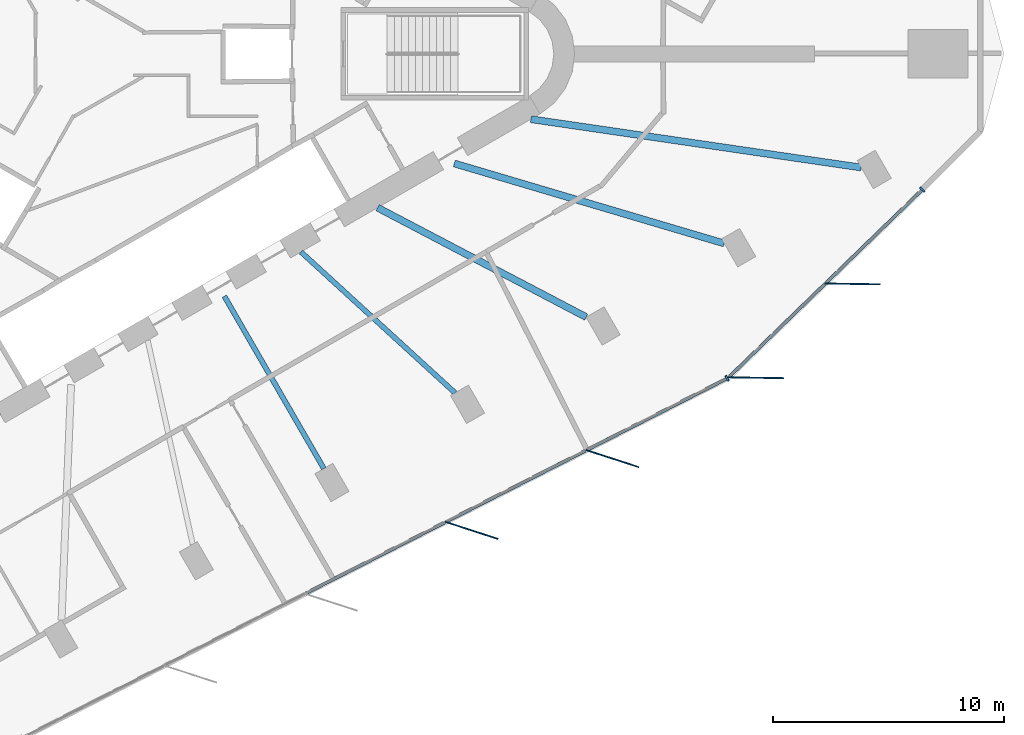
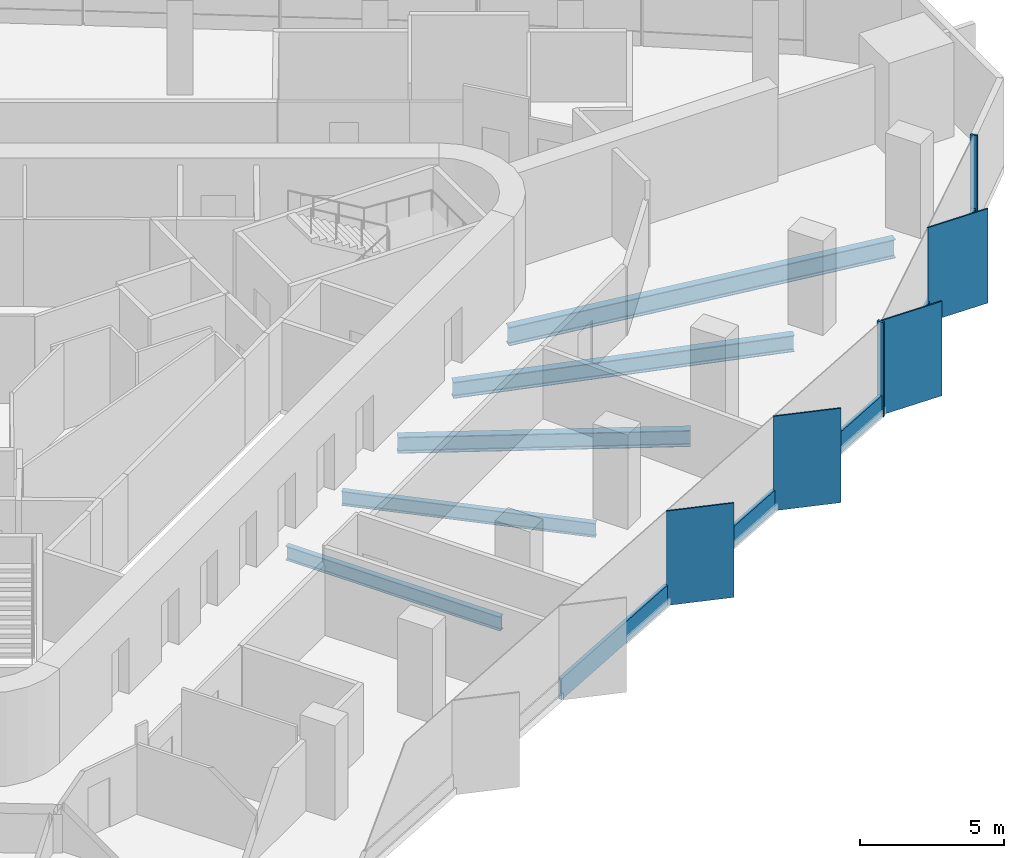
# One storey, part 3 of 14: 11 members, 5 beams, 2 elements without a shape of their own.
"""IFC4 building model written with IfcOpenShell, lengths in metres."""

from ifc_helpers import new_model, si_unit, direction, frame, origin, origin_2d, place, context, subcontext, project, spatial, rectangle, i_section, extrude, material, material_profile, profile_set, type_object, element, aggregate, save


model = new_model("IFC4")

# Units and contexts
model_context = context("Model", 3, precision=1e-05, world=origin(), true_north=direction((0.0, 1.0)))
body_context = subcontext(model_context, "Body", "Model", "MODEL_VIEW")
ifc_project = project(units=[si_unit("LENGTHUNIT", "METRE"), si_unit("AREAUNIT", "SQUARE_METRE"), si_unit("VOLUMEUNIT", "CUBIC_METRE"), si_unit("PLANEANGLEUNIT", "RADIAN"), si_unit("MASSUNIT", "GRAM", prefix="KILO")], contexts=[model_context])

# Site, building, storey
site_placement = place(None, origin())
site = spatial("IfcSite", under=ifc_project, at=site_placement, CompositionType="ELEMENT")
building_placement = place(site_placement, origin())
building = spatial("IfcBuilding", under=site, at=building_placement, Name="Tanit Gate Tower", CompositionType="ELEMENT")
storey_placement = place(building_placement, frame((0.0, 0.0, 257.199951171875)))
storey = spatial("IfcBuildingStorey", under=building, at=storey_placement, Name="L58", CompositionType="ELEMENT", Elevation=257.199951171875)

# Curtain wall, members
ifc_material_1 = material(Name="Aluminium bronze anodised and glass", Category="aluminium")
curtain_wall_type = type_object("IfcCurtainWallType", Name="Curtain wall typical mid", PredefinedType="NOTDEFINED", material=ifc_material_1)
curtain_wall_1_placement = place(storey_placement, origin())
curtain_wall_1 = element("IfcCurtainWall", 1, at=curtain_wall_1_placement, inside=storey, type_object=curtain_wall_type, Name="Curtain wall L58 SE2", PredefinedType="NOTDEFINED")
ifc_material_2 = material(Name="Aluminium bronze anodised", Category="aluminium")
ifc_material_profile_1 = material_profile(ifc_material_2, rectangle(XDim=2.39990234375, YDim=0.055908203125, at=origin_2d()), Name="56x2400 bronze fin mullion")
ifc_profile_set_1 = profile_set([ifc_material_profile_1], Name="Aluminium bronze anodised")
member_type_1 = type_object("IfcMemberType", Name="FIN MULLION 56x2400 bronze", PredefinedType="MULLION", material=ifc_profile_set_1)
member_1_placement = place(storey_placement, frame((16.746337890625, -20.606689453125, -0.300048828125), z_axis=(0.0, 0.0, 1.0), x_axis=(-0.951202192353, 0.308568289465, 0.0)))
member_1 = element("IfcMember", 2, at=member_1_placement, type_object=member_type_1, Name="Fin mullion L58 SE2.4", PredefinedType="MULLION", context=body_context, shape_type="SweptSolid", body=[
    extrude(rectangle(XDim=2.39990234375, YDim=0.055908203125, at=origin_2d()), origin(), (0.0, 0.0, 1.0), 4.0),
])
member_2_placement = place(storey_placement, frame((22.83251953125, -17.501953125, -0.300048828125), z_axis=(0.0, 0.0, 1.0), x_axis=(-0.951202192353, 0.308568289465, 0.0)))
member_2 = element("IfcMember", 3, at=member_2_placement, type_object=member_type_1, Name="Fin mullion L58 SE2.5", PredefinedType="MULLION", context=body_context, shape_type="SweptSolid", body=[
    extrude(rectangle(XDim=2.39990234375, YDim=0.055908203125, at=origin_2d()), origin(), (0.0, 0.0, 1.0), 4.0),
])

curtain_wall_2_placement = place(storey_placement, origin())
curtain_wall_2 = element("IfcCurtainWall", 4, at=curtain_wall_2_placement, inside=storey, type_object=curtain_wall_type, Name="Curtain wall L58 SE3", PredefinedType="NOTDEFINED")
member_3_placement = place(storey_placement, frame((29.040771484375, -14.005615234375, -0.300048828125), z_axis=(0.0, 0.0, 1.0), x_axis=(-0.999880119672, 0.015483742592, 0.0)))
member_3 = element("IfcMember", 5, at=member_3_placement, type_object=member_type_1, Name="Fin mullion L58 SE3.1", PredefinedType="MULLION", context=body_context, shape_type="SweptSolid", body=[
    extrude(rectangle(XDim=2.39990234375, YDim=0.055908203125, at=origin_2d()), origin(), (0.0, 0.0, 1.0), 4.0),
])
member_4_placement = place(storey_placement, frame((33.22705078125, -9.947021484375, -0.300048828125), z_axis=(0.0, 0.0, 1.0), x_axis=(-0.999880119672, 0.015483742592, 0.0)))
member_4 = element("IfcMember", 6, at=member_4_placement, type_object=member_type_1, Name="Fin mullion L58 SE3.2", PredefinedType="MULLION", context=body_context, shape_type="SweptSolid", body=[
    extrude(rectangle(XDim=2.39990234375, YDim=0.055908203125, at=origin_2d()), origin(), (0.0, 0.0, 1.0), 4.0),
])

# Member
ifc_material_3 = material(Name="Aluminium bronze anodised", Category="aluminium")
ifc_material_profile_2 = material_profile(ifc_material_3, rectangle(XDim=0.260009765625, YDim=0.080078125, at=origin_2d()), Name="80x260 bronze mullion")
ifc_profile_set_2 = profile_set([ifc_material_profile_2], Name="Aluminium bronze anodised")
member_type_2 = type_object("IfcMemberType", Name="Mullion 80x260 typical mid", PredefinedType="MULLION", material=ifc_profile_set_2)
member_5_placement = place(storey_placement, frame((27.797607421875, -14.033447265625, -0.300048828125), z_axis=(0.0, 0.0, 1.0), x_axis=(-0.454410790552, 0.890792250432, 0.0)))
member_5 = element("IfcMember", 7, at=member_5_placement, type_object=member_type_2, Name="Mullion L58 SE2.6", PredefinedType="MULLION", context=body_context, shape_type="SweptSolid", body=[
    extrude(rectangle(XDim=0.260009765625, YDim=0.080078125, at=origin_2d()), origin(), (0.0, 0.0, 1.0), 4.0),
])

member_6_placement = place(storey_placement, frame((36.23486328125, -5.8701171875, -0.300048828125), z_axis=(0.0, 0.0, 1.0), x_axis=(-0.696073353609, 0.717970672378, 0.0)))
member_6 = element("IfcMember", 8, at=member_6_placement, type_object=member_type_2, Name="Mullion L58 SE3.3", PredefinedType="MULLION", context=body_context, shape_type="SweptSolid", body=[
    extrude(rectangle(XDim=0.260009765625, YDim=0.080078125, at=origin_2d()), origin(), (0.0, 0.0, 1.0), 4.0),
])

# Beams
ifc_material_4 = material(Name="Steel S355", Category="steel")
ifc_material_profile_3 = material_profile(ifc_material_4, i_section(OverallWidth=0.300048828125, OverallDepth=0.68994140625, WebThickness=0.014404296875, FlangeThickness=0.027099609375, FilletRadius=0.027099609375, at=origin_2d()), Name="HEA 700")
ifc_profile_set_3 = profile_set([ifc_material_profile_3], Name="Steel S355")
beam_type_1 = type_object("IfcBeamType", Name="RADIAL GIRDER HEA 700 S355", PredefinedType="BEAM", material=ifc_profile_set_3)
beam_1_placement = place(storey_placement, frame((21.697998046875, -11.383544921875, -0.64501953125), z_axis=(-0.885529600193, 0.464582960495, 0.0), x_axis=(-0.464582960495, -0.885529600193, 0.0)))
element("IfcBeam", 9, at=beam_1_placement, inside=storey, type_object=beam_type_1, Name="RADIAL GIRDER", PredefinedType="BEAM", context=body_context, shape_type="SweptSolid", body=[
    extrude(i_section(OverallWidth=0.300048828125, OverallDepth=0.68994140625, WebThickness=0.014404296875, FlangeThickness=0.027099609375, FilletRadius=0.027099609375, at=origin_2d()), origin(), (0.0, 0.0, 1.0), 10.1826171875),
])
beam_2_placement = place(storey_placement, frame((27.66845703125, -8.197021484375, -0.64501953125), z_axis=(-0.958810250553, 0.284047361252, 0.0), x_axis=(-0.284047361252, -0.958810250553, 0.0)))
element("IfcBeam", 10, at=beam_2_placement, inside=storey, type_object=beam_type_1, Name="RADIAL GIRDER", PredefinedType="BEAM", context=body_context, shape_type="SweptSolid", body=[
    extrude(i_section(OverallWidth=0.300048828125, OverallDepth=0.68994140625, WebThickness=0.014404296875, FlangeThickness=0.027099609375, FilletRadius=0.027099609375, at=origin_2d()), origin(), (0.0, 0.0, 1.0), 12.174072265625),
])
ifc_material_5 = material(Name="Steel S355", Category="steel")
ifc_material_profile_4 = material_profile(ifc_material_5, i_section(OverallWidth=0.300048828125, OverallDepth=0.7900390625, WebThickness=0.014892578125, FlangeThickness=0.028076171875, FilletRadius=0.030029296875, at=origin_2d()), Name="HEA 800")
ifc_profile_set_4 = profile_set([ifc_material_profile_4], Name="Steel S355")
beam_type_2 = type_object("IfcBeamType", Name="RADIAL GIRDER HEA 800 S355", PredefinedType="BEAM", material=ifc_profile_set_4)
beam_3_placement = place(storey_placement, frame((33.59130859375, -4.914306640625, -0.695068359375), z_axis=(-0.989468215533, 0.144750303802, 0.0), x_axis=(-0.144750303802, -0.989468215533, 0.0)))
element("IfcBeam", 11, at=beam_3_placement, inside=storey, type_object=beam_type_2, Name="RADIAL GIRDER", PredefinedType="BEAM", context=body_context, shape_type="SweptSolid", body=[
    extrude(i_section(OverallWidth=0.300048828125, OverallDepth=0.7900390625, WebThickness=0.014892578125, FlangeThickness=0.028076171875, FilletRadius=0.030029296875, at=origin_2d()), origin(), (0.0, 0.0, 1.0), 14.4326171875),
])
ifc_material_6 = material(Name="Steel S355", Category="steel")
ifc_material_profile_5 = material_profile(ifc_material_6, i_section(OverallWidth=0.219970703125, OverallDepth=0.60009765625, WebThickness=0.011962890625, FlangeThickness=0.01904296875, FilletRadius=0.02392578125, at=origin_2d()), Name="IPE 600")
ifc_profile_set_5 = profile_set([ifc_material_profile_5], Name="Steel S355")
beam_type_3 = type_object("IfcBeamType", Name="RADIAL GIRDER IPE 600 S355", PredefinedType="BEAM", material=ifc_profile_set_5)
beam_4_placement = place(storey_placement, frame((10.353759765625, -17.93310546875, -0.599853515625), z_axis=(-0.500008150211, 0.866020698207, 0.0), x_axis=(-0.866020698207, -0.500008150211, 0.0)))
element("IfcBeam", 12, at=beam_4_placement, inside=storey, type_object=beam_type_3, Name="RADIAL GIRDER", PredefinedType="BEAM", context=body_context, shape_type="SweptSolid", body=[
    extrude(i_section(OverallWidth=0.219970703125, OverallDepth=0.60009765625, WebThickness=0.011962890625, FlangeThickness=0.01904296875, FilletRadius=0.02392578125, at=origin_2d()), origin(), (0.0, 0.0, 1.0), 8.605224609375),
])
beam_5_placement = place(storey_placement, frame((16.02587890625, -14.658203125, -0.599853515625), z_axis=(-0.737904866166, 0.674904740307, 0.0), x_axis=(-0.674904740307, -0.737904866166, 0.0)))
element("IfcBeam", 13, at=beam_5_placement, inside=storey, type_object=beam_type_3, Name="RADIAL GIRDER", PredefinedType="BEAM", context=body_context, shape_type="SweptSolid", body=[
    extrude(i_section(OverallWidth=0.219970703125, OverallDepth=0.60009765625, WebThickness=0.011962890625, FlangeThickness=0.01904296875, FilletRadius=0.02392578125, at=origin_2d()), origin(), (0.0, 0.0, 1.0), 9.025390625),
])

# Member
ifc_material_7 = material(Name="Aluminium bronze anodised", Category="aluminium")
ifc_material_profile_6 = material_profile(ifc_material_7, rectangle(XDim=0.139892578125, YDim=0.89990234375, at=origin_2d()), Name="140x900 bronze transom")
ifc_profile_set_6 = profile_set([ifc_material_profile_6], Name="Aluminium bronze anodised")
member_type_3 = type_object("IfcMemberType", Name="Transom 140x900 typical mid", PredefinedType="USERDEFINED", material=ifc_profile_set_6)
member_7_placement = place(storey_placement, frame((9.57421875, -23.32958984375, 0.150146484375), z_axis=(0.890782479191, 0.454429944839, 0.0), x_axis=(-0.454429944839, 0.890782479191, 0.0)))
member_7 = element("IfcMember", 14, at=member_7_placement, type_object=member_type_3, Name="Transom L58 SE2.3", ObjectType="TRANSOM", PredefinedType="USERDEFINED", context=body_context, shape_type="SweptSolid", body=[
    extrude(rectangle(XDim=0.139892578125, YDim=0.89990234375, at=origin_2d()), origin(), (0.0, 0.0, 1.0), 6.752685546875),
])

member_8_placement = place(storey_placement, frame((15.66064453125, -20.224853515625, 0.150146484375), z_axis=(0.890782479191, 0.454429944839, 0.0), x_axis=(-0.454429944839, 0.890782479191, 0.0)))
member_8 = element("IfcMember", 15, at=member_8_placement, type_object=member_type_3, Name="Transom L58 SE2.4", ObjectType="TRANSOM", PredefinedType="USERDEFINED", context=body_context, shape_type="SweptSolid", body=[
    extrude(rectangle(XDim=0.139892578125, YDim=0.89990234375, at=origin_2d()), origin(), (0.0, 0.0, 1.0), 6.752685546875),
])

member_9_placement = place(storey_placement, frame((21.7470703125, -17.119873046875, 0.150146484375), z_axis=(0.890789648628, 0.454415890894, 0.0), x_axis=(-0.454415890894, 0.890789648628, 0.0)))
member_9 = element("IfcMember", 16, at=member_9_placement, type_object=member_type_3, Name="Transom L58 SE2.5", ObjectType="TRANSOM", PredefinedType="USERDEFINED", context=body_context, shape_type="SweptSolid", body=[
    extrude(rectangle(XDim=0.139892578125, YDim=0.89990234375, at=origin_2d()), origin(), (0.0, 0.0, 1.0), 6.752197265625),
])

aggregate(curtain_wall_1, [member_1, member_2, member_5, member_7, member_8, member_9])

member_10_placement = place(storey_placement, frame((27.890625, -13.95947265625, 0.150146484375), z_axis=(0.717974969404, 0.696068921378, 0.0), x_axis=(-0.696068921378, 0.717974969404, 0.0)))
member_10 = element("IfcMember", 17, at=member_10_placement, type_object=member_type_3, Name="Transom L58 SE3.1", ObjectType="TRANSOM", PredefinedType="USERDEFINED", context=body_context, shape_type="SweptSolid", body=[
    extrude(rectangle(XDim=0.139892578125, YDim=0.89990234375, at=origin_2d()), origin(), (0.0, 0.0, 1.0), 5.750732421875),
])

member_11_placement = place(storey_placement, frame((32.0771484375, -9.90087890625, 0.150146484375), z_axis=(0.717974969404, 0.696068921378, 0.0), x_axis=(-0.696068921378, 0.717974969404, 0.0)))
member_11 = element("IfcMember", 18, at=member_11_placement, type_object=member_type_3, Name="Transom L58 SE3.2", ObjectType="TRANSOM", PredefinedType="USERDEFINED", context=body_context, shape_type="SweptSolid", body=[
    extrude(rectangle(XDim=0.139892578125, YDim=0.89990234375, at=origin_2d()), origin(), (0.0, 0.0, 1.0), 5.750732421875),
])

aggregate(curtain_wall_2, [member_3, member_4, member_6, member_10, member_11])

save(model, "model.ifc")
